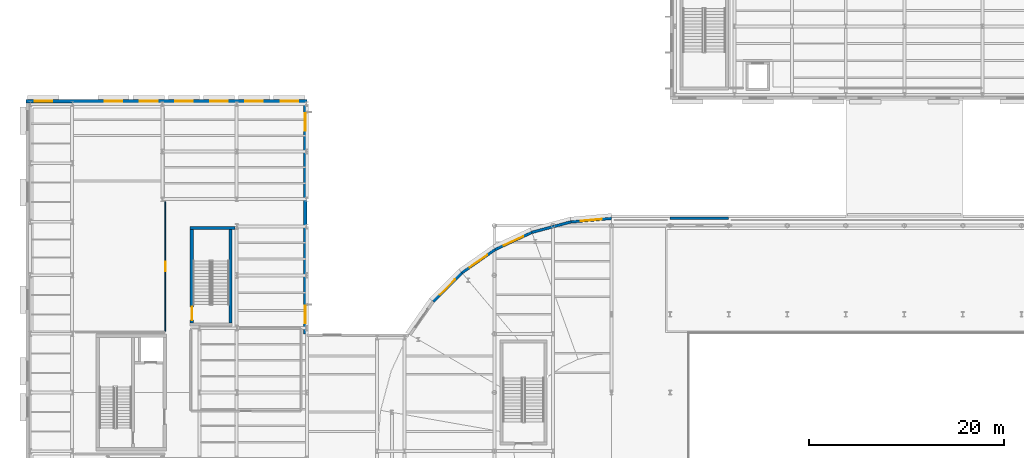
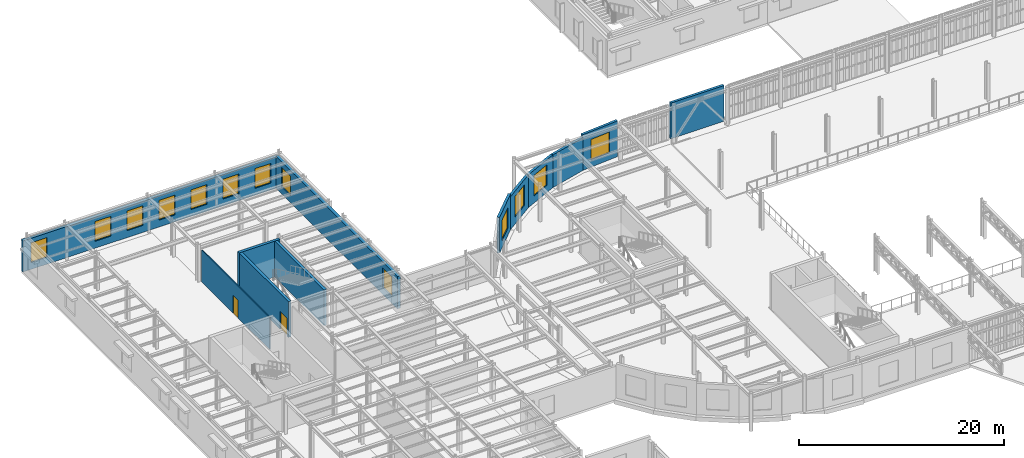
# One storey, part 67 of 91: 13 windows, 12 walls, 2 doors, 15 openings.
"""IFC4 building model written with IfcOpenShell, lengths in metres."""

from ifc_helpers import new_model, si_unit, direction, frame, frame_2d, origin, place, context, subcontext, project, spatial, rectangle, extrude, material, layer, layer_set, type_object, element, fill, save


model = new_model("IFC4")

# Units and contexts
model_context = context("Model", 3, precision=1e-05, world=origin(), true_north=direction((0.0, 1.0)))
body_context = subcontext(model_context, "Body", "Model", "MODEL_VIEW")
ifc_project = project(units=[si_unit("LENGTHUNIT", "METRE"), si_unit("AREAUNIT", "SQUARE_METRE"), si_unit("VOLUMEUNIT", "CUBIC_METRE"), si_unit("PLANEANGLEUNIT", "RADIAN"), si_unit("MASSUNIT", "GRAM", prefix="KILO")], contexts=[model_context])

# Site, building, storey
site_placement = place(None, origin())
site = spatial("IfcSite", under=ifc_project, at=site_placement, CompositionType="ELEMENT")
building_placement = place(site_placement, origin())
building = spatial("IfcBuilding", under=site, at=building_placement, Name="Kolvaren Corner Interchange", CompositionType="ELEMENT")
storey_placement = place(building_placement, frame((0.0, 0.0, 6.0)))
storey = spatial("IfcBuildingStorey", under=building, at=storey_placement, Name="L02", CompositionType="ELEMENT", Elevation=6.0)

# Wall
ifc_material_1 = material(Name="Concrete C35/45", Category="concrete")
ifc_layer_1 = layer(ifc_material_1, 0.31005859375)
ifc_layer_set_1 = layer_set([ifc_layer_1], Name="Concrete C35/45")
wall_type_1 = type_object("IfcWallType", Name="WL-STAIR-300", PredefinedType="SHEAR", material=ifc_layer_set_1)
wall_1_placement = place(storey_placement, frame((16.85009765625, 70.844970703125, 0.0), z_axis=(0.0, 0.0, 1.0), x_axis=(1.0, 0.0, 0.0)))
element("IfcWall", 1, at=wall_1_placement, inside=storey, type_object=wall_type_1, Name="Operations North Wing Protected Exit Stair L02 North Enclosure Wall", PredefinedType="SHEAR", context=body_context, shape_type="SweptSolid", body=[
    extrude(rectangle(XDim=4.599853515625, YDim=0.31005859375, at=frame_2d((2.2998046875, 0.0))), origin(), (0.0, 0.0, 1.0), 4.25),
])

# Wall, opening, door
wall_2_placement = place(storey_placement, frame((17.0048828125, 61.110107421875, 0.0), z_axis=(0.0, 0.0, 1.0), x_axis=(0.0, 1.0, 0.0)))
wall_2 = element("IfcWall", 2, at=wall_2_placement, inside=storey, type_object=wall_type_1, Name="Operations North Wing Protected Exit Stair L02 West Enclosure Wall", PredefinedType="SHEAR", context=body_context, shape_type="SweptSolid", body=[
    extrude(rectangle(XDim=9.579833984375, YDim=0.31005859375, at=frame_2d((4.7900390625, 0.0))), origin(), (0.0, 0.0, 1.0), 4.25),
])
opening_1_placement = place(wall_2_placement, frame((0.300048828125, 0.0, 0.0)))
opening_1 = element("IfcOpeningElement", 3, at=opening_1_placement, cuts=wall_2, Name="Opening D-F05", PredefinedType="OPENING", context=body_context, shape_type="SweptSolid", body=[
    extrude(rectangle(XDim=1.35009765625, YDim=2.14990234375, at=frame_2d((0.675048828125, 1.074951171875))), frame((0.0, 0.1650390625, 0.0), z_axis=(0.0, -1.0, 0.0), x_axis=(1.0, 0.0, 0.0)), (0.0, 0.0, 1.0), 0.330078125),
])
ifc_material_2 = material(Name="Powder-coated Fire-rated Steel Sheet", Category="steel")
door_type_1 = type_object("IfcDoorType", Name="DT-FD-1350x2150", OperationType="NOTDEFINED", PredefinedType="DOOR", material=ifc_material_2)
door_1_placement = place(opening_1_placement, origin())
door_1 = element("IfcDoor", 4, at=door_1_placement, inside=storey, type_object=door_type_1, Name="Operations North Wing Protected Exit Stair L02 Protected Exit Door", OperationType="DOUBLE_DOOR_SINGLE_SWING", OverallHeight=2.14990234375, OverallWidth=1.35009765625, PredefinedType="DOOR", context=body_context, shape_type="SweptSolid", body=[
    extrude(rectangle(XDim=1.35009765625, YDim=2.14990234375, at=frame_2d((0.675048828125, 1.074951171875))), frame((0.0, 0.02490234375, 0.0), z_axis=(0.0, -1.0, 0.0), x_axis=(1.0, 0.0, 0.0)), (0.0, 0.0, 1.0), 0.050048828125),
])
fill(opening_1, door_1)

# Wall
wall_3_placement = place(storey_placement, frame((20.9951171875, 61.110107421875, 0.0), z_axis=(0.0, 0.0, 1.0), x_axis=(0.0, 1.0, 0.0)))
element("IfcWall", 5, at=wall_3_placement, inside=storey, type_object=wall_type_1, Name="Operations North Wing Protected Exit Stair L02 East Enclosure Wall", PredefinedType="SHEAR", context=body_context, shape_type="SweptSolid", body=[
    extrude(rectangle(XDim=9.579833984375, YDim=0.31005859375, at=frame_2d((4.7900390625, 0.0))), origin(), (0.0, 0.0, 1.0), 4.25),
])

# Wall, openings, windows
ifc_material_3 = material(Name="Cream Architectural Terracotta Rainscreen Assembly", Category="masonry")
ifc_layer_2 = layer(ifc_material_3, 0.330078125)
ifc_layer_set_2 = layer_set([ifc_layer_2], Name="Cream Architectural Terracotta Rainscreen Assembly")
wall_type_2 = type_object("IfcWallType", Name="WT-EXT-TC320", PredefinedType="SOLIDWALL", material=ifc_layer_set_2)
wall_4_placement = place(storey_placement, frame((28.6298828125, 60.0, 0.0), z_axis=(0.0, 0.0, 1.0), x_axis=(0.0, 1.0, 0.0)))
wall_4 = element("IfcWall", 6, at=wall_4_placement, inside=storey, type_object=wall_type_2, Name="Operations Rain Court East Facade Wall 0020", PredefinedType="SOLIDWALL", context=body_context, shape_type="SweptSolid", body=[
    extrude(rectangle(XDim=23.659912109375, YDim=0.330078125, at=frame_2d((11.830078125, 0.0))), origin(), (0.0, 0.0, 1.0), 3.844970703125),
])
opening_2_placement = place(wall_4_placement, frame((1.07177734375, 0.0, 0.820068359375)))
opening_2 = element("IfcOpeningElement", 7, at=opening_2_placement, cuts=wall_4, Name="Opening W-03", PredefinedType="OPENING", context=body_context, shape_type="SweptSolid", body=[
    extrude(rectangle(XDim=1.800048828125, YDim=2.35009765625, at=frame_2d((0.89990234375, 1.175048828125))), frame((0.0, 0.175048828125, 0.0), z_axis=(0.0, -1.0, 0.0), x_axis=(1.0, 0.0, 0.0)), (0.0, 0.0, 1.0), 0.35009765625),
])
opening_3_placement = place(wall_4_placement, frame((20.788330078125, 0.0, 0.820068359375)))
opening_3 = element("IfcOpeningElement", 8, at=opening_3_placement, cuts=wall_4, Name="Opening W-03", PredefinedType="OPENING", context=body_context, shape_type="SweptSolid", body=[
    extrude(rectangle(XDim=1.800048828125, YDim=2.35009765625, at=frame_2d((0.89990234375, 1.175048828125))), frame((0.0, 0.175048828125, 0.0), z_axis=(0.0, -1.0, 0.0), x_axis=(1.0, 0.0, 0.0)), (0.0, 0.0, 1.0), 0.35009765625),
])
ifc_material_4 = material(Name="Thermally Broken Aluminium and Solar-Control Double Glazing", Category="aluminium")
window_type_1 = type_object("IfcWindowType", Name="WT-CHI-1800x2400", PartitioningType="DOUBLE_PANEL_VERTICAL", PredefinedType="WINDOW", material=ifc_material_4)
window_1_placement = place(opening_2_placement, origin())
window_1 = element("IfcWindow", 9, at=window_1_placement, inside=storey, type_object=window_type_1, Name="L02 Operations Rain Court East Facade Window 0037", OverallHeight=2.35009765625, OverallWidth=1.800048828125, PartitioningType="SINGLE_PANEL", PredefinedType="WINDOW", context=body_context, shape_type="SweptSolid", body=[
    extrude(rectangle(XDim=1.800048828125, YDim=2.35009765625, at=frame_2d((0.89990234375, 1.175048828125))), frame((0.0, 0.030029296875, 0.0), z_axis=(0.0, -1.0, 0.0), x_axis=(1.0, 0.0, 0.0)), (0.0, 0.0, 1.0), 0.06005859375),
])
fill(opening_2, window_1)
window_2_placement = place(opening_3_placement, origin())
window_2 = element("IfcWindow", 10, at=window_2_placement, inside=storey, type_object=window_type_1, Name="L02 Operations Rain Court East Facade Window 0038", OverallHeight=2.35009765625, OverallWidth=1.800048828125, PartitioningType="SINGLE_PANEL", PredefinedType="WINDOW", context=body_context, shape_type="SweptSolid", body=[
    extrude(rectangle(XDim=1.800048828125, YDim=2.35009765625, at=frame_2d((0.89990234375, 1.175048828125))), frame((0.0, 0.030029296875, 0.0), z_axis=(0.0, -1.0, 0.0), x_axis=(1.0, 0.0, 0.0)), (0.0, 0.0, 1.0), 0.06005859375),
])
fill(opening_3, window_2)

wall_5_placement = place(storey_placement, frame((28.800048828125, 83.830078125, 0.0), z_axis=(0.0, 0.0, 1.0), x_axis=(-1.0, 0.0, 0.0)))
wall_5 = element("IfcWall", 11, at=wall_5_placement, inside=storey, type_object=wall_type_2, Name="Operations North End Facade Wall 0021", PredefinedType="SOLIDWALL", context=body_context, shape_type="SweptSolid", body=[
    extrude(rectangle(XDim=28.800048828125, YDim=0.330078125, at=frame_2d((14.39990234375, 0.0))), origin(), (0.0, 0.0, 1.0), 3.695068359375),
])
opening_4_placement = place(wall_5_placement, frame((0.89990234375, 0.0, 0.820068359375)))
opening_4 = element("IfcOpeningElement", 12, at=opening_4_placement, cuts=wall_5, Name="Opening W-03", PredefinedType="OPENING", context=body_context, shape_type="SweptSolid", body=[
    extrude(rectangle(XDim=1.800048828125, YDim=2.35009765625, at=frame_2d((0.89990234375, 1.175048828125))), frame((0.0, 0.175048828125, 0.0), z_axis=(0.0, -1.0, 0.0), x_axis=(1.0, 0.0, 0.0)), (0.0, 0.0, 1.0), 0.35009765625),
])
opening_5_placement = place(wall_5_placement, frame((4.5, 0.0, 0.820068359375)))
opening_5 = element("IfcOpeningElement", 13, at=opening_5_placement, cuts=wall_5, Name="Opening W-03", PredefinedType="OPENING", context=body_context, shape_type="SweptSolid", body=[
    extrude(rectangle(XDim=1.800048828125, YDim=2.35009765625, at=frame_2d((0.89990234375, 1.175048828125))), frame((0.0, 0.175048828125, 0.0), z_axis=(0.0, -1.0, 0.0), x_axis=(1.0, 0.0, 0.0)), (0.0, 0.0, 1.0), 0.35009765625),
])
opening_6_placement = place(wall_5_placement, frame((8.10009765625, 0.0, 0.820068359375)))
opening_6 = element("IfcOpeningElement", 14, at=opening_6_placement, cuts=wall_5, Name="Opening W-03", PredefinedType="OPENING", context=body_context, shape_type="SweptSolid", body=[
    extrude(rectangle(XDim=1.800048828125, YDim=2.35009765625, at=frame_2d((0.89990234375, 1.175048828125))), frame((0.0, 0.175048828125, 0.0), z_axis=(0.0, -1.0, 0.0), x_axis=(1.0, 0.0, 0.0)), (0.0, 0.0, 1.0), 0.35009765625),
])
opening_7_placement = place(wall_5_placement, frame((11.699951171875, 0.0, 0.820068359375)))
opening_7 = element("IfcOpeningElement", 15, at=opening_7_placement, cuts=wall_5, Name="Opening W-03", PredefinedType="OPENING", context=body_context, shape_type="SweptSolid", body=[
    extrude(rectangle(XDim=1.800048828125, YDim=2.35009765625, at=frame_2d((0.89990234375, 1.175048828125))), frame((0.0, 0.175048828125, 0.0), z_axis=(0.0, -1.0, 0.0), x_axis=(1.0, 0.0, 0.0)), (0.0, 0.0, 1.0), 0.35009765625),
])
opening_8_placement = place(wall_5_placement, frame((15.300048828125, 0.0, 0.820068359375)))
opening_8 = element("IfcOpeningElement", 16, at=opening_8_placement, cuts=wall_5, Name="Opening W-03", PredefinedType="OPENING", context=body_context, shape_type="SweptSolid", body=[
    extrude(rectangle(XDim=1.800048828125, YDim=2.35009765625, at=frame_2d((0.89990234375, 1.175048828125))), frame((0.0, 0.175048828125, 0.0), z_axis=(0.0, -1.0, 0.0), x_axis=(1.0, 0.0, 0.0)), (0.0, 0.0, 1.0), 0.35009765625),
])
opening_9_placement = place(wall_5_placement, frame((18.89990234375, 0.0, 0.820068359375)))
opening_9 = element("IfcOpeningElement", 17, at=opening_9_placement, cuts=wall_5, Name="Opening W-03", PredefinedType="OPENING", context=body_context, shape_type="SweptSolid", body=[
    extrude(rectangle(XDim=1.800048828125, YDim=2.35009765625, at=frame_2d((0.89990234375, 1.175048828125))), frame((0.0, 0.175048828125, 0.0), z_axis=(0.0, -1.0, 0.0), x_axis=(1.0, 0.0, 0.0)), (0.0, 0.0, 1.0), 0.35009765625),
])
opening_10_placement = place(wall_5_placement, frame((26.10009765625, 0.0, 0.820068359375)))
opening_10 = element("IfcOpeningElement", 18, at=opening_10_placement, cuts=wall_5, Name="Opening W-03", PredefinedType="OPENING", context=body_context, shape_type="SweptSolid", body=[
    extrude(rectangle(XDim=1.800048828125, YDim=2.35009765625, at=frame_2d((0.89990234375, 1.175048828125))), frame((0.0, 0.175048828125, 0.0), z_axis=(0.0, -1.0, 0.0), x_axis=(1.0, 0.0, 0.0)), (0.0, 0.0, 1.0), 0.35009765625),
])
window_3_placement = place(opening_4_placement, origin())
window_3 = element("IfcWindow", 19, at=window_3_placement, inside=storey, type_object=window_type_1, Name="L02 Operations North End Facade Window 0039", OverallHeight=2.35009765625, OverallWidth=1.800048828125, PartitioningType="SINGLE_PANEL", PredefinedType="WINDOW", context=body_context, shape_type="SweptSolid", body=[
    extrude(rectangle(XDim=1.800048828125, YDim=2.35009765625, at=frame_2d((0.89990234375, 1.175048828125))), frame((0.0, 0.030029296875, 0.0), z_axis=(0.0, -1.0, 0.0), x_axis=(1.0, 0.0, 0.0)), (0.0, 0.0, 1.0), 0.06005859375),
])
fill(opening_4, window_3)
window_4_placement = place(opening_5_placement, origin())
window_4 = element("IfcWindow", 20, at=window_4_placement, inside=storey, type_object=window_type_1, Name="L02 Operations North End Facade Window 0040", OverallHeight=2.35009765625, OverallWidth=1.800048828125, PartitioningType="SINGLE_PANEL", PredefinedType="WINDOW", context=body_context, shape_type="SweptSolid", body=[
    extrude(rectangle(XDim=1.800048828125, YDim=2.35009765625, at=frame_2d((0.89990234375, 1.175048828125))), frame((0.0, 0.030029296875, 0.0), z_axis=(0.0, -1.0, 0.0), x_axis=(1.0, 0.0, 0.0)), (0.0, 0.0, 1.0), 0.06005859375),
])
fill(opening_5, window_4)
window_5_placement = place(opening_6_placement, origin())
window_5 = element("IfcWindow", 21, at=window_5_placement, inside=storey, type_object=window_type_1, Name="L02 Operations North End Facade Window 0041", OverallHeight=2.35009765625, OverallWidth=1.800048828125, PartitioningType="SINGLE_PANEL", PredefinedType="WINDOW", context=body_context, shape_type="SweptSolid", body=[
    extrude(rectangle(XDim=1.800048828125, YDim=2.35009765625, at=frame_2d((0.89990234375, 1.175048828125))), frame((0.0, 0.030029296875, 0.0), z_axis=(0.0, -1.0, 0.0), x_axis=(1.0, 0.0, 0.0)), (0.0, 0.0, 1.0), 0.06005859375),
])
fill(opening_6, window_5)
window_6_placement = place(opening_7_placement, origin())
window_6 = element("IfcWindow", 22, at=window_6_placement, inside=storey, type_object=window_type_1, Name="L02 Operations North End Facade Window 0042", OverallHeight=2.35009765625, OverallWidth=1.800048828125, PartitioningType="SINGLE_PANEL", PredefinedType="WINDOW", context=body_context, shape_type="SweptSolid", body=[
    extrude(rectangle(XDim=1.800048828125, YDim=2.35009765625, at=frame_2d((0.89990234375, 1.175048828125))), frame((0.0, 0.030029296875, 0.0), z_axis=(0.0, -1.0, 0.0), x_axis=(1.0, 0.0, 0.0)), (0.0, 0.0, 1.0), 0.06005859375),
])
fill(opening_7, window_6)
window_7_placement = place(opening_8_placement, origin())
window_7 = element("IfcWindow", 23, at=window_7_placement, inside=storey, type_object=window_type_1, Name="L02 Operations North End Facade Window 0043", OverallHeight=2.35009765625, OverallWidth=1.800048828125, PartitioningType="SINGLE_PANEL", PredefinedType="WINDOW", context=body_context, shape_type="SweptSolid", body=[
    extrude(rectangle(XDim=1.800048828125, YDim=2.35009765625, at=frame_2d((0.89990234375, 1.175048828125))), frame((0.0, 0.030029296875, 0.0), z_axis=(0.0, -1.0, 0.0), x_axis=(1.0, 0.0, 0.0)), (0.0, 0.0, 1.0), 0.06005859375),
])
fill(opening_8, window_7)
window_8_placement = place(opening_9_placement, origin())
window_8 = element("IfcWindow", 24, at=window_8_placement, inside=storey, type_object=window_type_1, Name="L02 Operations North End Facade Window 0044", OverallHeight=2.35009765625, OverallWidth=1.800048828125, PartitioningType="SINGLE_PANEL", PredefinedType="WINDOW", context=body_context, shape_type="SweptSolid", body=[
    extrude(rectangle(XDim=1.800048828125, YDim=2.35009765625, at=frame_2d((0.89990234375, 1.175048828125))), frame((0.0, 0.030029296875, 0.0), z_axis=(0.0, -1.0, 0.0), x_axis=(1.0, 0.0, 0.0)), (0.0, 0.0, 1.0), 0.06005859375),
])
fill(opening_9, window_8)
window_9_placement = place(opening_10_placement, origin())
window_9 = element("IfcWindow", 25, at=window_9_placement, inside=storey, type_object=window_type_1, Name="L02 Operations North End Facade Window 0045", OverallHeight=2.35009765625, OverallWidth=1.800048828125, PartitioningType="SINGLE_PANEL", PredefinedType="WINDOW", context=body_context, shape_type="SweptSolid", body=[
    extrude(rectangle(XDim=1.800048828125, YDim=2.35009765625, at=frame_2d((0.89990234375, 1.175048828125))), frame((0.0, 0.030029296875, 0.0), z_axis=(0.0, -1.0, 0.0), x_axis=(1.0, 0.0, 0.0)), (0.0, 0.0, 1.0), 0.06005859375),
])
fill(opening_10, window_9)

# Wall, opening, window
ifc_material_5 = material(Name="White Glazed Ceramic Terracotta Band Assembly", Category="masonry")
ifc_layer_3 = layer(ifc_material_5, 0.280029296875)
ifc_layer_set_3 = layer_set([ifc_layer_3], Name="White Glazed Ceramic Terracotta Band Assembly")
wall_type_3 = type_object("IfcWallType", Name="WT-EXT-WHT280", PredefinedType="SOLIDWALL", material=ifc_layer_set_3)
wall_6_placement = place(storey_placement, frame((60.0, 71.840087890625, 0.0), z_axis=(0.0, 0.0, 1.0), x_axis=(-0.99619237826, -0.087182254487, 0.0)))
wall_6 = element("IfcWall", 26, at=wall_6_placement, inside=storey, type_object=wall_type_3, Name="Racetrack West Curved Drum Chord 01 Wall 0077", PredefinedType="SOLIDWALL", context=body_context, shape_type="SweptSolid", body=[
    extrude(rectangle(XDim=4.15576171875, YDim=0.280029296875, at=frame_2d((2.077880859375, 0.0))), origin(), (0.0, 0.0, 1.0), 4.25),
])
opening_11_placement = place(wall_6_placement, frame((0.977783203125, 0.0, 0.85009765625)))
opening_11 = element("IfcOpeningElement", 27, at=opening_11_placement, cuts=wall_6, Name="Opening W-04", PredefinedType="OPENING", context=body_context, shape_type="SweptSolid", body=[
    extrude(rectangle(XDim=2.199951171875, YDim=2.449951171875, at=frame_2d((1.10009765625, 1.22509765625))), frame((0.0, 0.14990234375, 0.0), z_axis=(0.0, -1.0, 0.0), x_axis=(1.0, 0.0, 0.0)), (0.0, 0.0, 1.0), 0.300048828125),
])
ifc_material_6 = material(Name="Thermally Broken Aluminium and Solar-Control Double Glazing", Category="aluminium")
window_type_2 = type_object("IfcWindowType", Name="WT-ARC-2200x2450", PartitioningType="DOUBLE_PANEL_VERTICAL", PredefinedType="WINDOW", material=ifc_material_6)
window_10_placement = place(opening_11_placement, origin())
window_10 = element("IfcWindow", 28, at=window_10_placement, inside=storey, type_object=window_type_2, Name="L02 Racetrack West Curved Drum Chord 01 Window 0155", OverallHeight=2.449951171875, OverallWidth=2.199951171875, PartitioningType="SINGLE_PANEL", PredefinedType="WINDOW", context=body_context, shape_type="SweptSolid", body=[
    extrude(rectangle(XDim=2.199951171875, YDim=2.449951171875, at=frame_2d((1.10009765625, 1.22509765625))), frame((0.0, 0.030029296875, 0.0), z_axis=(0.0, -1.0, 0.0), x_axis=(1.0, 0.0, 0.0)), (0.0, 0.0, 1.0), 0.06005859375),
])
fill(opening_11, window_10)

# Wall
wall_7_placement = place(storey_placement, frame((55.860107421875, 71.477783203125, 0.0), z_axis=(0.0, 0.0, 1.0), x_axis=(-0.965931006096, -0.258799713026, 0.0)))
element("IfcWall", 29, at=wall_7_placement, inside=storey, type_object=wall_type_3, Name="Racetrack West Curved Drum Chord 02 Wall 0078", PredefinedType="SOLIDWALL", context=body_context, shape_type="SweptSolid", body=[
    extrude(rectangle(XDim=4.155517578125, YDim=0.280029296875, at=frame_2d((2.07763671875, 0.0))), origin(), (0.0, 0.0, 1.0), 3.885009765625),
])

# Wall, opening, window
wall_8_placement = place(storey_placement, frame((51.84619140625, 70.40234375, 0.0), z_axis=(0.0, 0.0, 1.0), x_axis=(-0.906291177731, -0.422653878685, 0.0)))
wall_8 = element("IfcWall", 30, at=wall_8_placement, inside=storey, type_object=wall_type_3, Name="Racetrack West Curved Drum Chord 03 Wall 0079", PredefinedType="SOLIDWALL", context=body_context, shape_type="SweptSolid", body=[
    extrude(rectangle(XDim=4.155517578125, YDim=0.280029296875, at=frame_2d((2.07763671875, 0.0))), origin(), (0.0, 0.0, 1.0), 3.905029296875),
])
opening_12_placement = place(wall_8_placement, frame((0.977783203125, 0.0, 0.85009765625)))
opening_12 = element("IfcOpeningElement", 31, at=opening_12_placement, cuts=wall_8, Name="Opening W-04", PredefinedType="OPENING", context=body_context, shape_type="SweptSolid", body=[
    extrude(rectangle(XDim=2.199951171875, YDim=2.449951171875, at=frame_2d((1.10009765625, 1.22509765625))), frame((0.0, 0.14990234375, 0.0), z_axis=(0.0, -1.0, 0.0), x_axis=(1.0, 0.0, 0.0)), (0.0, 0.0, 1.0), 0.300048828125),
])
window_11_placement = place(opening_12_placement, origin())
window_11 = element("IfcWindow", 32, at=window_11_placement, inside=storey, type_object=window_type_2, Name="L02 Racetrack West Curved Drum Chord 03 Window 0156", OverallHeight=2.449951171875, OverallWidth=2.199951171875, PartitioningType="SINGLE_PANEL", PredefinedType="WINDOW", context=body_context, shape_type="SweptSolid", body=[
    extrude(rectangle(XDim=2.199951171875, YDim=2.449951171875, at=frame_2d((1.10009765625, 1.22509765625))), frame((0.0, 0.030029296875, 0.0), z_axis=(0.0, -1.0, 0.0), x_axis=(1.0, 0.0, 0.0)), (0.0, 0.0, 1.0), 0.06005859375),
])
fill(opening_12, window_11)

wall_9_placement = place(storey_placement, frame((48.080078125, 68.64599609375, 0.0), z_axis=(0.0, 0.0, 1.0), x_axis=(-0.819171197327, -0.573549082007, 0.0)))
wall_9 = element("IfcWall", 33, at=wall_9_placement, inside=storey, type_object=wall_type_3, Name="Racetrack West Curved Drum Chord 04 Wall 0080", PredefinedType="SOLIDWALL", context=body_context, shape_type="SweptSolid", body=[
    extrude(rectangle(XDim=4.15576171875, YDim=0.280029296875, at=frame_2d((2.077880859375, 0.0))), origin(), (0.0, 0.0, 1.0), 3.925048828125),
])
opening_13_placement = place(wall_9_placement, frame((0.977783203125, 0.0, 0.85009765625)))
opening_13 = element("IfcOpeningElement", 34, at=opening_13_placement, cuts=wall_9, Name="Opening W-04", PredefinedType="OPENING", context=body_context, shape_type="SweptSolid", body=[
    extrude(rectangle(XDim=2.199951171875, YDim=2.449951171875, at=frame_2d((1.10009765625, 1.22509765625))), frame((0.0, 0.14990234375, 0.0), z_axis=(0.0, -1.0, 0.0), x_axis=(1.0, 0.0, 0.0)), (0.0, 0.0, 1.0), 0.300048828125),
])
window_12_placement = place(opening_13_placement, origin())
window_12 = element("IfcWindow", 35, at=window_12_placement, inside=storey, type_object=window_type_2, Name="L02 Racetrack West Curved Drum Chord 04 Window 0157", OverallHeight=2.449951171875, OverallWidth=2.199951171875, PartitioningType="SINGLE_PANEL", PredefinedType="WINDOW", context=body_context, shape_type="SweptSolid", body=[
    extrude(rectangle(XDim=2.199951171875, YDim=2.449951171875, at=frame_2d((1.10009765625, 1.22509765625))), frame((0.0, 0.030029296875, 0.0), z_axis=(0.0, -1.0, 0.0), x_axis=(1.0, 0.0, 0.0)), (0.0, 0.0, 1.0), 0.06005859375),
])
fill(opening_13, window_12)

wall_10_placement = place(storey_placement, frame((44.67578125, 66.262451171875, 0.0), z_axis=(0.0, 0.0, 1.0), x_axis=(-0.707106781187, -0.707106781187, 0.0)))
wall_10 = element("IfcWall", 36, at=wall_10_placement, inside=storey, type_object=wall_type_3, Name="Racetrack West Curved Drum Chord 05 Wall 0081", PredefinedType="SOLIDWALL", context=body_context, shape_type="SweptSolid", body=[
    extrude(rectangle(XDim=4.1552734375, YDim=0.280029296875, at=frame_2d((2.07763671875, 0.0))), origin(), (0.0, 0.0, 1.0), 4.25),
])
opening_14_placement = place(wall_10_placement, frame((0.977783203125, 0.0, 0.85009765625)))
opening_14 = element("IfcOpeningElement", 37, at=opening_14_placement, cuts=wall_10, Name="Opening W-04", PredefinedType="OPENING", context=body_context, shape_type="SweptSolid", body=[
    extrude(rectangle(XDim=2.199951171875, YDim=2.449951171875, at=frame_2d((1.10009765625, 1.22509765625))), frame((0.0, 0.14990234375, 0.0), z_axis=(0.0, -1.0, 0.0), x_axis=(1.0, 0.0, 0.0)), (0.0, 0.0, 1.0), 0.300048828125),
])
window_13_placement = place(opening_14_placement, origin())
window_13 = element("IfcWindow", 38, at=window_13_placement, inside=storey, type_object=window_type_2, Name="L02 Racetrack West Curved Drum Chord 05 Window 0158", OverallHeight=2.449951171875, OverallWidth=2.199951171875, PartitioningType="SINGLE_PANEL", PredefinedType="WINDOW", context=body_context, shape_type="SweptSolid", body=[
    extrude(rectangle(XDim=2.199951171875, YDim=2.449951171875, at=frame_2d((1.10009765625, 1.22509765625))), frame((0.0, 0.030029296875, 0.0), z_axis=(0.0, -1.0, 0.0), x_axis=(1.0, 0.0, 0.0)), (0.0, 0.0, 1.0), 0.06005859375),
])
fill(opening_14, window_13)

# Wall
wall_11_placement = place(storey_placement, frame((72.0, 71.840087890625, 0.0), z_axis=(0.0, 0.0, 1.0), x_axis=(-1.0, 0.0, 0.0)))
element("IfcWall", 39, at=wall_11_placement, inside=storey, type_object=wall_type_3, Name="Concourse North Braced Wall Wall 0165", PredefinedType="SOLIDWALL", context=body_context, shape_type="SweptSolid", body=[
    extrude(rectangle(XDim=6.0, YDim=0.280029296875, at=frame_2d((3.0, 0.0))), origin(), (0.0, 0.0, 1.0), 4.25),
])

# Wall, opening, door
ifc_material_7 = material(Name="Standard Metal-Stud Drywall Partition")
ifc_layer_4 = layer(ifc_material_7, 0.1201171875)
ifc_layer_set_4 = layer_set([ifc_layer_4], Name="Standard Metal-Stud Drywall Partition")
wall_type_4 = type_object("IfcWallType", Name="WT-PART-ST125", PredefinedType="PARTITIONING", material=ifc_layer_set_4)
wall_12_placement = place(storey_placement, frame((14.300048828125, 60.261962890625, 0.0), z_axis=(0.0, 0.0, 1.0), x_axis=(0.0, 1.0, 0.0)))
wall_12 = element("IfcWall", 40, at=wall_12_placement, inside=storey, type_object=wall_type_4, Name="L02 Driver Lockers and Changing Partition Wall 102", PredefinedType="PARTITIONING", context=body_context, shape_type="SweptSolid", body=[
    extrude(rectangle(XDim=13.2529296875, YDim=0.1201171875, at=frame_2d((6.62646484375, 0.0))), origin(), (0.0, 0.0, 1.0), 3.794921875),
])
opening_15_placement = place(wall_12_placement, frame((6.136474609375, 0.0, 0.0)))
opening_15 = element("IfcOpeningElement", 41, at=opening_15_placement, cuts=wall_12, Name="Opening D-I03", PredefinedType="OPENING", context=body_context, shape_type="SweptSolid", body=[
    extrude(rectangle(XDim=0.97998046875, YDim=2.14990234375, at=frame_2d((0.489990234375, 1.074951171875))), frame((0.0, 0.070068359375, 0.0), z_axis=(0.0, -1.0, 0.0), x_axis=(1.0, 0.0, 0.0)), (0.0, 0.0, 1.0), 0.14013671875),
])
ifc_material_8 = material(Name="Solid-Core Iroko Timber Door", Category="wood")
door_type_2 = type_object("IfcDoorType", Name="DT-INT-980x2150", OperationType="NOTDEFINED", PredefinedType="DOOR", material=ifc_material_8)
door_2_placement = place(opening_15_placement, origin())
door_2 = element("IfcDoor", 42, at=door_2_placement, inside=storey, type_object=door_type_2, Name="L02 Driver Lockers and Changing Door", OperationType="SINGLE_SWING_LEFT", OverallHeight=2.14990234375, OverallWidth=0.97998046875, PredefinedType="DOOR", context=body_context, shape_type="SweptSolid", body=[
    extrude(rectangle(XDim=0.97998046875, YDim=2.14990234375, at=frame_2d((0.489990234375, 1.074951171875))), frame((0.0, 0.02490234375, 0.0), z_axis=(0.0, -1.0, 0.0), x_axis=(1.0, 0.0, 0.0)), (0.0, 0.0, 1.0), 0.050048828125),
])
fill(opening_15, door_2)

save(model, "model.ifc")
